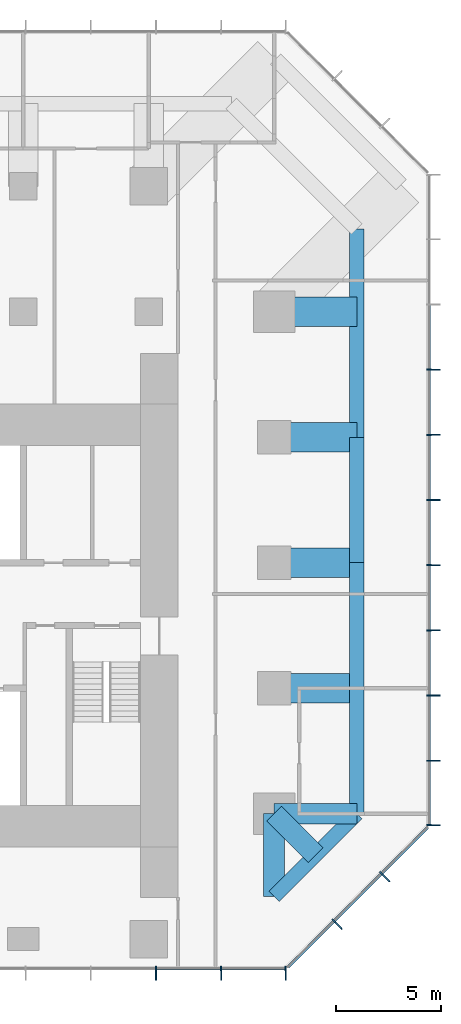
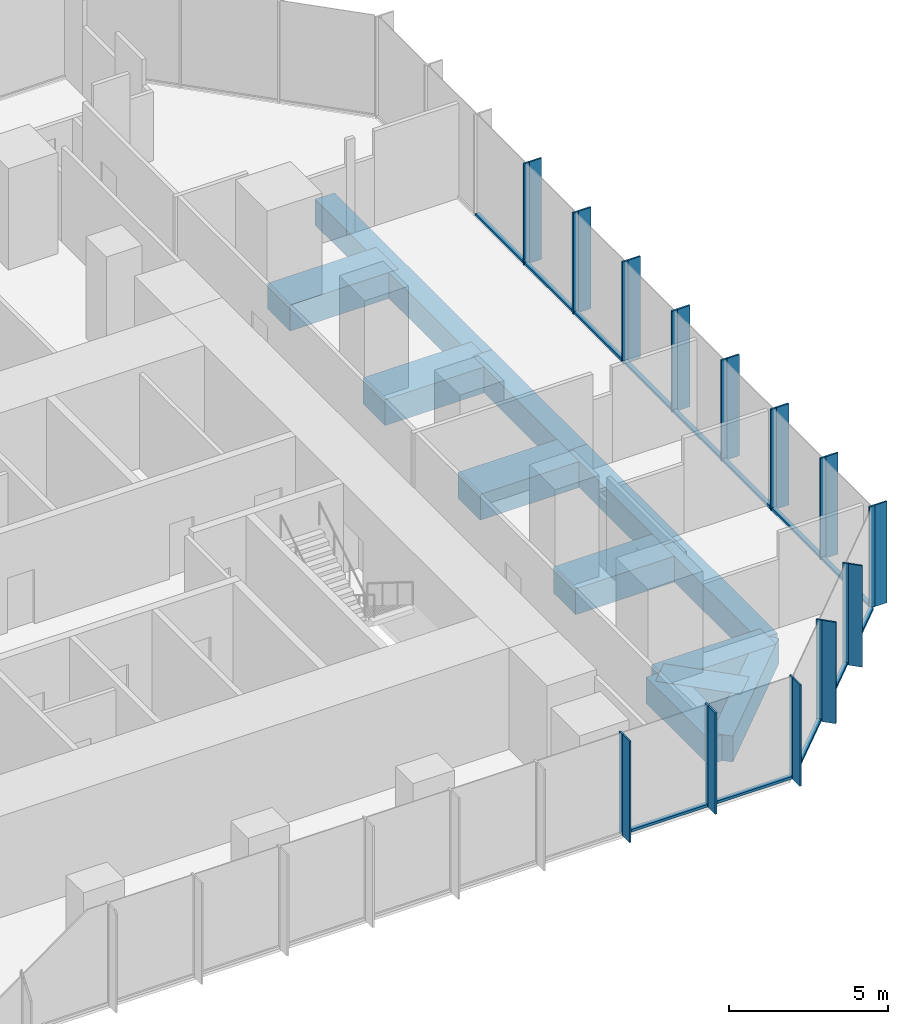
# One storey, part 4 of 11: 39 members, 12 beams, 3 elements without a shape of their own.
"""IFC4 building model written with IfcOpenShell, lengths in metres."""

from ifc_helpers import new_model, si_unit, direction, frame, origin, origin_2d, place, context, subcontext, project, spatial, rectangle, extrude, material, layer, layer_set, material_profile, profile_set, type_object, element, aggregate, save


model = new_model("IFC4")

# Units and contexts
model_context = context("Model", 3, precision=1e-05, world=origin(), true_north=direction((0.0, 1.0)))
body_context = subcontext(model_context, "Body", "Model", "MODEL_VIEW")
ifc_project = project(units=[si_unit("LENGTHUNIT", "METRE"), si_unit("AREAUNIT", "SQUARE_METRE"), si_unit("VOLUMEUNIT", "CUBIC_METRE"), si_unit("PLANEANGLEUNIT", "RADIAN"), si_unit("MASSUNIT", "GRAM", prefix="KILO")], contexts=[model_context])

# Site, building, storey
site_placement = place(None, origin())
site = spatial("IfcSite", under=ifc_project, at=site_placement, CompositionType="ELEMENT")
building_placement = place(site_placement, origin())
building = spatial("IfcBuilding", under=site, at=building_placement, Name="Highveld Stack Headquarters", CompositionType="ELEMENT")
storey_placement = place(building_placement, frame((0.0, 0.0, 177.199951171875)))
storey = spatial("IfcBuildingStorey", under=building, at=storey_placement, Name="L43", CompositionType="ELEMENT", Elevation=177.199951171875)

# Beams
ifc_material_1 = material(Name="Concrete C60/75", Category="concrete")
ifc_material_profile_1 = material_profile(ifc_material_1, rectangle(XDim=1.0, YDim=1.0, at=origin_2d()), Name="RC 1000x1000")
ifc_profile_set_1 = profile_set([ifc_material_profile_1], Name="Concrete C60/75")
beam_type_1 = type_object("IfcBeamType", Name="CANTILEVER RIB RC 1000x1000", PredefinedType="USERDEFINED", material=ifc_profile_set_1)
for number, where, z_axis, x_axis, name in (
    (1, (24.0, -6.0, -0.75), (1.0, 0.0, 0.0), (0.0, 1.0, 0.0), "Cantilever rib 10/D L43"),
    (2, (24.0, -6.0, -0.75), (0.0, -1.0, 0.0), (1.0, 0.0, 0.0), "Cantilever rib 10/D L43"),
):
    element("IfcBeam", number, at=place(storey_placement, frame(where, z_axis=z_axis, x_axis=x_axis)), inside=storey, type_object=beam_type_1, Name=name, ObjectType="CANTILEVER RIB", PredefinedType="USERDEFINED", context=body_context, shape_type="SweptSolid", body=[
        extrude(rectangle(XDim=1.0, YDim=1.0, at=origin_2d()), origin(), (0.0, 0.0, 1.0), 3.949951171875),
    ])
beam_1_placement = place(storey_placement, frame((24.0, -6.0, -0.75), z_axis=(0.707106781187, -0.707106781187, 0.0), x_axis=(0.707106781187, 0.707106781187, 0.0)))
element("IfcBeam", 3, at=beam_1_placement, inside=storey, type_object=beam_type_1, Name="Cantilever rib 10/D L43", ObjectType="CANTILEVER RIB", PredefinedType="USERDEFINED", context=body_context, shape_type="SweptSolid", body=[
    extrude(rectangle(XDim=1.0, YDim=1.0, at=origin_2d()), origin(), (0.0, 0.0, 1.0), 2.793212890625),
])
ifc_material_2 = material(Name="Concrete C60/75", Category="concrete")
ifc_material_profile_2 = material_profile(ifc_material_2, rectangle(XDim=1.39990234375, YDim=1.0, at=origin_2d()), Name="RC 1400x1000")
ifc_profile_set_2 = profile_set([ifc_material_profile_2], Name="Concrete C60/75")
beam_type_2 = type_object("IfcBeamType", Name="CANTILEVER RIB RC 1400x1000", PredefinedType="USERDEFINED", material=ifc_profile_set_2)
for number, where, z_axis, x_axis, name in (
    (4, (24.0, 0.0, -0.75), (1.0, 0.0, 0.0), (0.0, 1.0, 0.0), "Cantilever rib 10/E L43"),
    (5, (24.0, 6.0, -0.75), (1.0, 0.0, 0.0), (0.0, 1.0, 0.0), "Cantilever rib 10/F L43"),
    (6, (24.0, 12.0, -0.75), (1.0, 0.0, 0.0), (0.0, 1.0, 0.0), "Cantilever rib 10/G L43"),
    (7, (24.0, 18.0, -0.75), (1.0, 0.0, 0.0), (0.0, 1.0, 0.0), "Cantilever rib 10/H L43"),
):
    element("IfcBeam", number, at=place(storey_placement, frame(where, z_axis=z_axis, x_axis=x_axis)), inside=storey, type_object=beam_type_2, Name=name, ObjectType="CANTILEVER RIB", PredefinedType="USERDEFINED", context=body_context, shape_type="SweptSolid", body=[
        extrude(rectangle(XDim=1.39990234375, YDim=1.0, at=origin_2d()), origin(), (0.0, 0.0, 1.0), 3.949951171875),
    ])

# Curtain wall, members
ifc_material_3 = material(Name="Aluminium bronze anodised", Category="aluminium")
ifc_layer_1 = layer(ifc_material_3, 0.199951171875)
ifc_layer_set_1 = layer_set([ifc_layer_1], Name="Aluminium bronze anodised")
curtain_wall_type_1 = type_object("IfcCurtainWallType", Name="CW1 TOWER UNITISED CURTAIN WALL", PredefinedType="NOTDEFINED", material=ifc_layer_set_1)
curtain_wall_1_placement = place(storey_placement, origin())
curtain_wall_1 = element("IfcCurtainWall", 8, at=curtain_wall_1_placement, inside=storey, type_object=curtain_wall_type_1, Name="Curtain wall CW1 L43 S", PredefinedType="NOTDEFINED")
ifc_material_4 = material(Name="Aluminium bronze anodised", Category="aluminium")
ifc_material_profile_3 = material_profile(ifc_material_4, rectangle(XDim=0.449951171875, YDim=0.06005859375, at=origin_2d()), Name="FIN 450x60")
ifc_profile_set_3 = profile_set([ifc_material_profile_3], Name="Aluminium bronze anodised")
member_type_1 = type_object("IfcMemberType", Name="CW1 BRONZE FIN 450x60", PredefinedType="USERDEFINED", material=ifc_profile_set_3)
member_1_placement = place(storey_placement, frame((18.347900390625, -13.72509765625, 0.0), z_axis=(0.0, 0.0, 1.0), x_axis=(0.0, 1.0, 0.0)))
member_1 = element("IfcMember", 9, at=member_1_placement, type_object=member_type_1, Name="CW1 fin L43 9", ObjectType="FIN", PredefinedType="USERDEFINED", context=body_context, shape_type="SweptSolid", body=[
    extrude(rectangle(XDim=0.449951171875, YDim=0.06005859375, at=origin_2d()), origin(), (0.0, 0.0, 1.0), 3.900146484375),
])
member_2_placement = place(storey_placement, frame((21.4638671875, -13.72509765625, 0.0), z_axis=(0.0, 0.0, 1.0), x_axis=(0.0, 1.0, 0.0)))
member_2 = element("IfcMember", 10, at=member_2_placement, type_object=member_type_1, Name="CW1 fin L43 10", ObjectType="FIN", PredefinedType="USERDEFINED", context=body_context, shape_type="SweptSolid", body=[
    extrude(rectangle(XDim=0.449951171875, YDim=0.06005859375, at=origin_2d()), origin(), (0.0, 0.0, 1.0), 3.900146484375),
])
member_3_placement = place(storey_placement, frame((24.54736328125, -13.72509765625, 0.0), z_axis=(0.0, 0.0, 1.0), x_axis=(0.0, 1.0, 0.0)))
member_3 = element("IfcMember", 11, at=member_3_placement, type_object=member_type_1, Name="CW1 fin L43 11", ObjectType="FIN", PredefinedType="USERDEFINED", context=body_context, shape_type="SweptSolid", body=[
    extrude(rectangle(XDim=0.449951171875, YDim=0.06005859375, at=origin_2d()), origin(), (0.0, 0.0, 1.0), 3.900146484375),
])

curtain_wall_2_placement = place(storey_placement, origin())
curtain_wall_2 = element("IfcCurtainWall", 12, at=curtain_wall_2_placement, inside=storey, type_object=curtain_wall_type_1, Name="Curtain wall CW1 L43 E", PredefinedType="NOTDEFINED")
member_4_placement = place(storey_placement, frame((31.72509765625, -6.54736328125, 0.0), z_axis=(0.0, 0.0, 1.0), x_axis=(-1.0, 0.0, 0.0)))
member_4 = element("IfcMember", 13, at=member_4_placement, type_object=member_type_1, Name="CW1 fin L43 1", ObjectType="FIN", PredefinedType="USERDEFINED", context=body_context, shape_type="SweptSolid", body=[
    extrude(rectangle(XDim=0.449951171875, YDim=0.06005859375, at=origin_2d()), origin(), (0.0, 0.0, 1.0), 3.900146484375),
])
member_5_placement = place(storey_placement, frame((31.72509765625, -3.4638671875, 0.0), z_axis=(0.0, 0.0, 1.0), x_axis=(-1.0, 0.0, 0.0)))
member_5 = element("IfcMember", 14, at=member_5_placement, type_object=member_type_1, Name="CW1 fin L43 2", ObjectType="FIN", PredefinedType="USERDEFINED", context=body_context, shape_type="SweptSolid", body=[
    extrude(rectangle(XDim=0.449951171875, YDim=0.06005859375, at=origin_2d()), origin(), (0.0, 0.0, 1.0), 3.900146484375),
])
member_6_placement = place(storey_placement, frame((31.72509765625, -0.347900390625, 0.0), z_axis=(0.0, 0.0, 1.0), x_axis=(-1.0, 0.0, 0.0)))
member_6 = element("IfcMember", 15, at=member_6_placement, type_object=member_type_1, Name="CW1 fin L43 3", ObjectType="FIN", PredefinedType="USERDEFINED", context=body_context, shape_type="SweptSolid", body=[
    extrude(rectangle(XDim=0.449951171875, YDim=0.06005859375, at=origin_2d()), origin(), (0.0, 0.0, 1.0), 3.900146484375),
])
member_7_placement = place(storey_placement, frame((31.72509765625, 2.76806640625, 0.0), z_axis=(0.0, 0.0, 1.0), x_axis=(-1.0, 0.0, 0.0)))
member_7 = element("IfcMember", 16, at=member_7_placement, type_object=member_type_1, Name="CW1 fin L43 4", ObjectType="FIN", PredefinedType="USERDEFINED", context=body_context, shape_type="SweptSolid", body=[
    extrude(rectangle(XDim=0.449951171875, YDim=0.06005859375, at=origin_2d()), origin(), (0.0, 0.0, 1.0), 3.900146484375),
])
member_8_placement = place(storey_placement, frame((31.72509765625, 5.884033203125, 0.0), z_axis=(0.0, 0.0, 1.0), x_axis=(-1.0, 0.0, 0.0)))
member_8 = element("IfcMember", 17, at=member_8_placement, type_object=member_type_1, Name="CW1 fin L43 5", ObjectType="FIN", PredefinedType="USERDEFINED", context=body_context, shape_type="SweptSolid", body=[
    extrude(rectangle(XDim=0.449951171875, YDim=0.06005859375, at=origin_2d()), origin(), (0.0, 0.0, 1.0), 3.900146484375),
])
member_9_placement = place(storey_placement, frame((31.72509765625, 9.0, 0.0), z_axis=(0.0, 0.0, 1.0), x_axis=(-1.0, 0.0, 0.0)))
member_9 = element("IfcMember", 18, at=member_9_placement, type_object=member_type_1, Name="CW1 fin L43 6", ObjectType="FIN", PredefinedType="USERDEFINED", context=body_context, shape_type="SweptSolid", body=[
    extrude(rectangle(XDim=0.449951171875, YDim=0.06005859375, at=origin_2d()), origin(), (0.0, 0.0, 1.0), 3.900146484375),
])
member_10_placement = place(storey_placement, frame((31.72509765625, 12.115966796875, 0.0), z_axis=(0.0, 0.0, 1.0), x_axis=(-1.0, 0.0, 0.0)))
member_10 = element("IfcMember", 19, at=member_10_placement, type_object=member_type_1, Name="CW1 fin L43 7", ObjectType="FIN", PredefinedType="USERDEFINED", context=body_context, shape_type="SweptSolid", body=[
    extrude(rectangle(XDim=0.449951171875, YDim=0.06005859375, at=origin_2d()), origin(), (0.0, 0.0, 1.0), 3.900146484375),
])
member_11_placement = place(storey_placement, frame((31.72509765625, 15.23193359375, 0.0), z_axis=(0.0, 0.0, 1.0), x_axis=(-1.0, 0.0, 0.0)))
member_11 = element("IfcMember", 20, at=member_11_placement, type_object=member_type_1, Name="CW1 fin L43 8", ObjectType="FIN", PredefinedType="USERDEFINED", context=body_context, shape_type="SweptSolid", body=[
    extrude(rectangle(XDim=0.449951171875, YDim=0.06005859375, at=origin_2d()), origin(), (0.0, 0.0, 1.0), 3.900146484375),
])

# Member
ifc_material_5 = material(Name="Aluminium bronze anodised", Category="aluminium")
ifc_material_profile_4 = material_profile(ifc_material_5, rectangle(XDim=0.199951171875, YDim=0.06494140625, at=origin_2d()), Name="CW1 MULLION 65x200")
ifc_profile_set_4 = profile_set([ifc_material_profile_4], Name="Aluminium bronze anodised")
member_type_2 = type_object("IfcMemberType", Name="CW1 MULLION 65x200", PredefinedType="MULLION", material=ifc_profile_set_4)
member_12_placement = place(storey_placement, frame((18.347900390625, -13.39990234375, 0.0), z_axis=(0.0, 0.0, 1.0), x_axis=(0.0, 1.0, 0.0)))
member_12 = element("IfcMember", 21, at=member_12_placement, type_object=member_type_2, Name="CW1 mullion L43 9", PredefinedType="MULLION", context=body_context, shape_type="SweptSolid", body=[
    extrude(rectangle(XDim=0.199951171875, YDim=0.06494140625, at=origin_2d()), origin(), (0.0, 0.0, 1.0), 3.900146484375),
])

member_13_placement = place(storey_placement, frame((21.4638671875, -13.39990234375, 0.0), z_axis=(0.0, 0.0, 1.0), x_axis=(0.0, 1.0, 0.0)))
member_13 = element("IfcMember", 22, at=member_13_placement, type_object=member_type_2, Name="CW1 mullion L43 10", PredefinedType="MULLION", context=body_context, shape_type="SweptSolid", body=[
    extrude(rectangle(XDim=0.199951171875, YDim=0.06494140625, at=origin_2d()), origin(), (0.0, 0.0, 1.0), 3.900146484375),
])

member_14_placement = place(storey_placement, frame((24.54736328125, -13.39990234375, 0.0), z_axis=(0.0, 0.0, 1.0), x_axis=(0.0, 1.0, 0.0)))
member_14 = element("IfcMember", 23, at=member_14_placement, type_object=member_type_2, Name="CW1 mullion L43 11", PredefinedType="MULLION", context=body_context, shape_type="SweptSolid", body=[
    extrude(rectangle(XDim=0.199951171875, YDim=0.06494140625, at=origin_2d()), origin(), (0.0, 0.0, 1.0), 3.900146484375),
])

member_15_placement = place(storey_placement, frame((31.39990234375, -6.54736328125, 0.0), z_axis=(0.0, 0.0, 1.0), x_axis=(-1.0, 0.0, 0.0)))
member_15 = element("IfcMember", 24, at=member_15_placement, type_object=member_type_2, Name="CW1 mullion L43 1", PredefinedType="MULLION", context=body_context, shape_type="SweptSolid", body=[
    extrude(rectangle(XDim=0.199951171875, YDim=0.06494140625, at=origin_2d()), origin(), (0.0, 0.0, 1.0), 3.900146484375),
])

member_16_placement = place(storey_placement, frame((31.39990234375, -3.4638671875, 0.0), z_axis=(0.0, 0.0, 1.0), x_axis=(-1.0, 0.0, 0.0)))
member_16 = element("IfcMember", 25, at=member_16_placement, type_object=member_type_2, Name="CW1 mullion L43 2", PredefinedType="MULLION", context=body_context, shape_type="SweptSolid", body=[
    extrude(rectangle(XDim=0.199951171875, YDim=0.06494140625, at=origin_2d()), origin(), (0.0, 0.0, 1.0), 3.900146484375),
])

member_17_placement = place(storey_placement, frame((31.39990234375, -0.347900390625, 0.0), z_axis=(0.0, 0.0, 1.0), x_axis=(-1.0, 0.0, 0.0)))
member_17 = element("IfcMember", 26, at=member_17_placement, type_object=member_type_2, Name="CW1 mullion L43 3", PredefinedType="MULLION", context=body_context, shape_type="SweptSolid", body=[
    extrude(rectangle(XDim=0.199951171875, YDim=0.06494140625, at=origin_2d()), origin(), (0.0, 0.0, 1.0), 3.900146484375),
])

member_18_placement = place(storey_placement, frame((31.39990234375, 2.76806640625, 0.0), z_axis=(0.0, 0.0, 1.0), x_axis=(-1.0, 0.0, 0.0)))
member_18 = element("IfcMember", 27, at=member_18_placement, type_object=member_type_2, Name="CW1 mullion L43 4", PredefinedType="MULLION", context=body_context, shape_type="SweptSolid", body=[
    extrude(rectangle(XDim=0.199951171875, YDim=0.06494140625, at=origin_2d()), origin(), (0.0, 0.0, 1.0), 3.900146484375),
])

member_19_placement = place(storey_placement, frame((31.39990234375, 5.884033203125, 0.0), z_axis=(0.0, 0.0, 1.0), x_axis=(-1.0, 0.0, 0.0)))
member_19 = element("IfcMember", 28, at=member_19_placement, type_object=member_type_2, Name="CW1 mullion L43 5", PredefinedType="MULLION", context=body_context, shape_type="SweptSolid", body=[
    extrude(rectangle(XDim=0.199951171875, YDim=0.06494140625, at=origin_2d()), origin(), (0.0, 0.0, 1.0), 3.900146484375),
])

member_20_placement = place(storey_placement, frame((31.39990234375, 9.0, 0.0), z_axis=(0.0, 0.0, 1.0), x_axis=(-1.0, 0.0, 0.0)))
member_20 = element("IfcMember", 29, at=member_20_placement, type_object=member_type_2, Name="CW1 mullion L43 6", PredefinedType="MULLION", context=body_context, shape_type="SweptSolid", body=[
    extrude(rectangle(XDim=0.199951171875, YDim=0.06494140625, at=origin_2d()), origin(), (0.0, 0.0, 1.0), 3.900146484375),
])

member_21_placement = place(storey_placement, frame((31.39990234375, 12.115966796875, 0.0), z_axis=(0.0, 0.0, 1.0), x_axis=(-1.0, 0.0, 0.0)))
member_21 = element("IfcMember", 30, at=member_21_placement, type_object=member_type_2, Name="CW1 mullion L43 7", PredefinedType="MULLION", context=body_context, shape_type="SweptSolid", body=[
    extrude(rectangle(XDim=0.199951171875, YDim=0.06494140625, at=origin_2d()), origin(), (0.0, 0.0, 1.0), 3.900146484375),
])

member_22_placement = place(storey_placement, frame((31.39990234375, 15.23193359375, 0.0), z_axis=(0.0, 0.0, 1.0), x_axis=(-1.0, 0.0, 0.0)))
member_22 = element("IfcMember", 31, at=member_22_placement, type_object=member_type_2, Name="CW1 mullion L43 8", PredefinedType="MULLION", context=body_context, shape_type="SweptSolid", body=[
    extrude(rectangle(XDim=0.199951171875, YDim=0.06494140625, at=origin_2d()), origin(), (0.0, 0.0, 1.0), 3.900146484375),
])

ifc_material_6 = material(Name="Aluminium bronze anodised", Category="aluminium")
ifc_material_profile_5 = material_profile(ifc_material_6, rectangle(XDim=0.14990234375, YDim=0.10009765625, at=origin_2d()), Name="CW1 TRANSOM 150x100")
ifc_profile_set_5 = profile_set([ifc_material_profile_5], Name="Aluminium bronze anodised")
member_type_3 = type_object("IfcMemberType", Name="CW1 STACK TRANSOM 150x100", PredefinedType="USERDEFINED", material=ifc_profile_set_5)
member_23_placement = place(storey_placement, frame((18.38037109375, -13.39990234375, 0.050048828125), z_axis=(1.0, 0.0, 0.0), x_axis=(0.0, 1.0, 0.0)))
member_23 = element("IfcMember", 32, at=member_23_placement, type_object=member_type_3, Name="CW1 transom L43 9.1", ObjectType="TRANSOM", PredefinedType="USERDEFINED", context=body_context, shape_type="SweptSolid", body=[
    extrude(rectangle(XDim=0.14990234375, YDim=0.10009765625, at=origin_2d()), origin(), (0.0, 0.0, 1.0), 3.051025390625),
])

member_24_placement = place(storey_placement, frame((21.496337890625, -13.39990234375, 0.050048828125), z_axis=(1.0, 0.0, 0.0), x_axis=(0.0, 1.0, 0.0)))
member_24 = element("IfcMember", 33, at=member_24_placement, type_object=member_type_3, Name="CW1 transom L43 10.1", ObjectType="TRANSOM", PredefinedType="USERDEFINED", context=body_context, shape_type="SweptSolid", body=[
    extrude(rectangle(XDim=0.14990234375, YDim=0.10009765625, at=origin_2d()), origin(), (0.0, 0.0, 1.0), 3.0185546875),
])

aggregate(curtain_wall_1, [member_12, member_1, member_13, member_2, member_14, member_3, member_23, member_24])

member_25_placement = place(storey_placement, frame((31.39990234375, -6.514892578125, 0.050048828125), z_axis=(0.0, 1.0, 0.0), x_axis=(-1.0, 0.0, 0.0)))
member_25 = element("IfcMember", 34, at=member_25_placement, type_object=member_type_3, Name="CW1 transom L43 1.1", ObjectType="TRANSOM", PredefinedType="USERDEFINED", context=body_context, shape_type="SweptSolid", body=[
    extrude(rectangle(XDim=0.14990234375, YDim=0.10009765625, at=origin_2d()), origin(), (0.0, 0.0, 1.0), 3.0185546875),
])

member_26_placement = place(storey_placement, frame((31.39990234375, -3.431396484375, 0.050048828125), z_axis=(0.0, 1.0, 0.0), x_axis=(-1.0, 0.0, 0.0)))
member_26 = element("IfcMember", 35, at=member_26_placement, type_object=member_type_3, Name="CW1 transom L43 2.1", ObjectType="TRANSOM", PredefinedType="USERDEFINED", context=body_context, shape_type="SweptSolid", body=[
    extrude(rectangle(XDim=0.14990234375, YDim=0.10009765625, at=origin_2d()), origin(), (0.0, 0.0, 1.0), 3.051025390625),
])

member_27_placement = place(storey_placement, frame((31.39990234375, -0.3154296875, 0.050048828125), z_axis=(0.0, 1.0, 0.0), x_axis=(-1.0, 0.0, 0.0)))
member_27 = element("IfcMember", 36, at=member_27_placement, type_object=member_type_3, Name="CW1 transom L43 3.1", ObjectType="TRANSOM", PredefinedType="USERDEFINED", context=body_context, shape_type="SweptSolid", body=[
    extrude(rectangle(XDim=0.14990234375, YDim=0.10009765625, at=origin_2d()), origin(), (0.0, 0.0, 1.0), 3.051025390625),
])

member_28_placement = place(storey_placement, frame((31.39990234375, 2.800537109375, 0.050048828125), z_axis=(0.0, 1.0, 0.0), x_axis=(-1.0, 0.0, 0.0)))
member_28 = element("IfcMember", 37, at=member_28_placement, type_object=member_type_3, Name="CW1 transom L43 4.1", ObjectType="TRANSOM", PredefinedType="USERDEFINED", context=body_context, shape_type="SweptSolid", body=[
    extrude(rectangle(XDim=0.14990234375, YDim=0.10009765625, at=origin_2d()), origin(), (0.0, 0.0, 1.0), 3.051025390625),
])

member_29_placement = place(storey_placement, frame((31.39990234375, 5.91650390625, 0.050048828125), z_axis=(0.0, 1.0, 0.0), x_axis=(-1.0, 0.0, 0.0)))
member_29 = element("IfcMember", 38, at=member_29_placement, type_object=member_type_3, Name="CW1 transom L43 5.1", ObjectType="TRANSOM", PredefinedType="USERDEFINED", context=body_context, shape_type="SweptSolid", body=[
    extrude(rectangle(XDim=0.14990234375, YDim=0.10009765625, at=origin_2d()), origin(), (0.0, 0.0, 1.0), 3.051025390625),
])

member_30_placement = place(storey_placement, frame((31.39990234375, 9.032470703125, 0.050048828125), z_axis=(0.0, 1.0, 0.0), x_axis=(-1.0, 0.0, 0.0)))
member_30 = element("IfcMember", 39, at=member_30_placement, type_object=member_type_3, Name="CW1 transom L43 6.1", ObjectType="TRANSOM", PredefinedType="USERDEFINED", context=body_context, shape_type="SweptSolid", body=[
    extrude(rectangle(XDim=0.14990234375, YDim=0.10009765625, at=origin_2d()), origin(), (0.0, 0.0, 1.0), 3.051025390625),
])

member_31_placement = place(storey_placement, frame((31.39990234375, 12.1484375, 0.050048828125), z_axis=(0.0, 1.0, 0.0), x_axis=(-1.0, 0.0, 0.0)))
member_31 = element("IfcMember", 40, at=member_31_placement, type_object=member_type_3, Name="CW1 transom L43 7.1", ObjectType="TRANSOM", PredefinedType="USERDEFINED", context=body_context, shape_type="SweptSolid", body=[
    extrude(rectangle(XDim=0.14990234375, YDim=0.10009765625, at=origin_2d()), origin(), (0.0, 0.0, 1.0), 3.051025390625),
])

member_32_placement = place(storey_placement, frame((31.39990234375, 15.264404296875, 0.050048828125), z_axis=(0.0, 1.0, 0.0), x_axis=(-1.0, 0.0, 0.0)))
member_32 = element("IfcMember", 41, at=member_32_placement, type_object=member_type_3, Name="CW1 transom L43 8.1", ObjectType="TRANSOM", PredefinedType="USERDEFINED", context=body_context, shape_type="SweptSolid", body=[
    extrude(rectangle(XDim=0.14990234375, YDim=0.10009765625, at=origin_2d()), origin(), (0.0, 0.0, 1.0), 3.051025390625),
])

aggregate(curtain_wall_2, [member_15, member_4, member_16, member_5, member_17, member_6, member_18, member_7, member_19, member_8, member_20, member_9, member_21, member_10, member_22, member_11, member_25, member_26, member_27, member_28, member_29, member_30, member_31, member_32])

# Curtain wall, members
ifc_material_7 = material(Name="Aluminium bronze anodised", Category="aluminium")
ifc_layer_2 = layer(ifc_material_7, 0.199951171875)
ifc_layer_set_2 = layer_set([ifc_layer_2], Name="Aluminium bronze anodised")
curtain_wall_type_2 = type_object("IfcCurtainWallType", Name="CW2 TOWER CHAMFER UNITISED CURTAIN WALL", PredefinedType="NOTDEFINED", material=ifc_layer_set_2)
curtain_wall_3_placement = place(storey_placement, origin())
curtain_wall_3 = element("IfcCurtainWall", 42, at=curtain_wall_3_placement, inside=storey, type_object=curtain_wall_type_2, Name="Curtain wall CW2 L43 SE", PredefinedType="NOTDEFINED")
ifc_material_8 = material(Name="Aluminium bronze anodised", Category="aluminium")
ifc_material_profile_6 = material_profile(ifc_material_8, rectangle(XDim=0.449951171875, YDim=0.06005859375, at=origin_2d()), Name="FIN 450x60")
ifc_profile_set_6 = profile_set([ifc_material_profile_6], Name="Aluminium bronze anodised")
member_type_4 = type_object("IfcMemberType", Name="CW2 BRONZE FIN 450x60", PredefinedType="USERDEFINED", material=ifc_profile_set_6)
member_33_placement = place(storey_placement, frame((27.0830078125, -11.3564453125, 0.0), z_axis=(0.0, 0.0, 1.0), x_axis=(-0.707106781187, 0.707106781187, 0.0)))
member_33 = element("IfcMember", 43, at=member_33_placement, type_object=member_type_4, Name="CW2 fin L43 1", ObjectType="FIN", PredefinedType="USERDEFINED", context=body_context, shape_type="SweptSolid", body=[
    extrude(rectangle(XDim=0.449951171875, YDim=0.06005859375, at=origin_2d()), origin(), (0.0, 0.0, 1.0), 3.900146484375),
])
member_34_placement = place(storey_placement, frame((29.3564453125, -9.0830078125, 0.0), z_axis=(0.0, 0.0, 1.0), x_axis=(-0.707106781187, 0.707106781187, 0.0)))
member_34 = element("IfcMember", 44, at=member_34_placement, type_object=member_type_4, Name="CW2 fin L43 2", ObjectType="FIN", PredefinedType="USERDEFINED", context=body_context, shape_type="SweptSolid", body=[
    extrude(rectangle(XDim=0.449951171875, YDim=0.06005859375, at=origin_2d()), origin(), (0.0, 0.0, 1.0), 3.900146484375),
])
ifc_material_9 = material(Name="Aluminium bronze anodised", Category="aluminium")
ifc_material_profile_7 = material_profile(ifc_material_9, rectangle(XDim=0.199951171875, YDim=0.06494140625, at=origin_2d()), Name="CW2 MULLION 65x200")
ifc_profile_set_7 = profile_set([ifc_material_profile_7], Name="Aluminium bronze anodised")
member_type_5 = type_object("IfcMemberType", Name="CW2 MULLION 65x200", PredefinedType="MULLION", material=ifc_profile_set_7)
member_35_placement = place(storey_placement, frame((26.853271484375, -11.126708984375, 0.0), z_axis=(0.0, 0.0, 1.0), x_axis=(-0.707106781187, 0.707106781187, 0.0)))
member_35 = element("IfcMember", 45, at=member_35_placement, type_object=member_type_5, Name="CW2 mullion L43 1", PredefinedType="MULLION", context=body_context, shape_type="SweptSolid", body=[
    extrude(rectangle(XDim=0.199951171875, YDim=0.06494140625, at=origin_2d()), origin(), (0.0, 0.0, 1.0), 3.900146484375),
])
member_36_placement = place(storey_placement, frame((29.126708984375, -8.853271484375, 0.0), z_axis=(0.0, 0.0, 1.0), x_axis=(-0.707106781187, 0.707106781187, 0.0)))
member_36 = element("IfcMember", 46, at=member_36_placement, type_object=member_type_5, Name="CW2 mullion L43 2", PredefinedType="MULLION", context=body_context, shape_type="SweptSolid", body=[
    extrude(rectangle(XDim=0.199951171875, YDim=0.06494140625, at=origin_2d()), origin(), (0.0, 0.0, 1.0), 3.900146484375),
])
ifc_material_10 = material(Name="Aluminium bronze anodised", Category="aluminium")
ifc_material_profile_8 = material_profile(ifc_material_10, rectangle(XDim=0.14990234375, YDim=0.10009765625, at=origin_2d()), Name="CW2 TRANSOM 150x100")
ifc_profile_set_8 = profile_set([ifc_material_profile_8], Name="Aluminium bronze anodised")
member_type_6 = type_object("IfcMemberType", Name="CW2 STACK TRANSOM 150x100", PredefinedType="USERDEFINED", material=ifc_profile_set_8)
member_37_placement = place(storey_placement, frame((24.650634765625, -13.329345703125, 0.050048828125), z_axis=(0.707106781187, 0.707106781187, 0.0), x_axis=(-0.707106781187, 0.707106781187, 0.0)))
member_37 = element("IfcMember", 47, at=member_37_placement, type_object=member_type_6, Name="CW2 transom L43 1.1", ObjectType="TRANSOM", PredefinedType="USERDEFINED", context=body_context, shape_type="SweptSolid", body=[
    extrude(rectangle(XDim=0.14990234375, YDim=0.10009765625, at=origin_2d()), origin(), (0.0, 0.0, 1.0), 3.08251953125),
])
member_38_placement = place(storey_placement, frame((26.876220703125, -11.103759765625, 0.050048828125), z_axis=(0.707106781187, 0.707106781187, 0.0), x_axis=(-0.707106781187, 0.707106781187, 0.0)))
member_38 = element("IfcMember", 48, at=member_38_placement, type_object=member_type_6, Name="CW2 transom L43 2.1", ObjectType="TRANSOM", PredefinedType="USERDEFINED", context=body_context, shape_type="SweptSolid", body=[
    extrude(rectangle(XDim=0.14990234375, YDim=0.10009765625, at=origin_2d()), origin(), (0.0, 0.0, 1.0), 3.150146484375),
])
member_39_placement = place(storey_placement, frame((29.149658203125, -8.830322265625, 0.050048828125), z_axis=(0.707106781187, 0.707106781187, 0.0), x_axis=(-0.707106781187, 0.707106781187, 0.0)))
member_39 = element("IfcMember", 49, at=member_39_placement, type_object=member_type_6, Name="CW2 transom L43 3.1", ObjectType="TRANSOM", PredefinedType="USERDEFINED", context=body_context, shape_type="SweptSolid", body=[
    extrude(rectangle(XDim=0.14990234375, YDim=0.10009765625, at=origin_2d()), origin(), (0.0, 0.0, 1.0), 3.08251953125),
])
aggregate(curtain_wall_3, [member_35, member_33, member_36, member_34, member_37, member_38, member_39])

# Beams
ifc_material_11 = material(Name="Concrete C60/75", Category="concrete")
ifc_material_profile_9 = material_profile(ifc_material_11, rectangle(XDim=0.699951171875, YDim=1.0, at=origin_2d()), Name="RC 700x1000")
ifc_profile_set_9 = profile_set([ifc_material_profile_9], Name="Concrete C60/75")
beam_type_3 = type_object("IfcBeamType", Name="RIB TIP BEAM RC 700x1000", PredefinedType="SPANDREL", material=ifc_profile_set_9)
for number, where, z_axis, x_axis, name in (
    (50, (27.949951171875, -6.0, -0.75), (0.0, 1.0, 0.0), (-1.0, 0.0, 0.0), "Rib tip beam 10/D to 10/E L43"),
    (51, (27.949951171875, 0.0, -0.75), (0.0, 1.0, 0.0), (-1.0, 0.0, 0.0), "Rib tip beam 10/E to 10/F L43"),
    (52, (27.949951171875, 6.0, -0.75), (0.0, 1.0, 0.0), (-1.0, 0.0, 0.0), "Rib tip beam 10/F to 10/G L43"),
):
    element("IfcBeam", number, at=place(storey_placement, frame(where, z_axis=z_axis, x_axis=x_axis)), inside=storey, type_object=beam_type_3, Name=name, PredefinedType="SPANDREL", context=body_context, shape_type="SweptSolid", body=[
        extrude(rectangle(XDim=0.699951171875, YDim=1.0, at=origin_2d()), origin(), (0.0, 0.0, 1.0), 6.0),
    ])
beam_2_placement = place(storey_placement, frame((27.949951171875, 12.0, -0.75), z_axis=(0.0, 1.0, 0.0), x_axis=(-1.0, 0.0, 0.0)))
element("IfcBeam", 53, at=beam_2_placement, inside=storey, type_object=beam_type_3, Name="Rib tip beam 10/G to 10/H L43", PredefinedType="SPANDREL", context=body_context, shape_type="SweptSolid", body=[
    extrude(rectangle(XDim=0.699951171875, YDim=1.0, at=origin_2d()), origin(), (0.0, 0.0, 1.0), 9.949951171875),
])
beam_3_placement = place(storey_placement, frame((27.949951171875, -6.0, -0.75), z_axis=(-0.707106781187, -0.707106781187, 0.0), x_axis=(0.707106781187, -0.707106781187, 0.0)))
element("IfcBeam", 54, at=beam_3_placement, inside=storey, type_object=beam_type_3, Name="Rib tip beam 10/D corner L43", PredefinedType="SPANDREL", context=body_context, shape_type="SweptSolid", body=[
    extrude(rectangle(XDim=0.699951171875, YDim=1.0, at=origin_2d()), origin(), (0.0, 0.0, 1.0), 5.586181640625),
])

save(model, "model.ifc")
